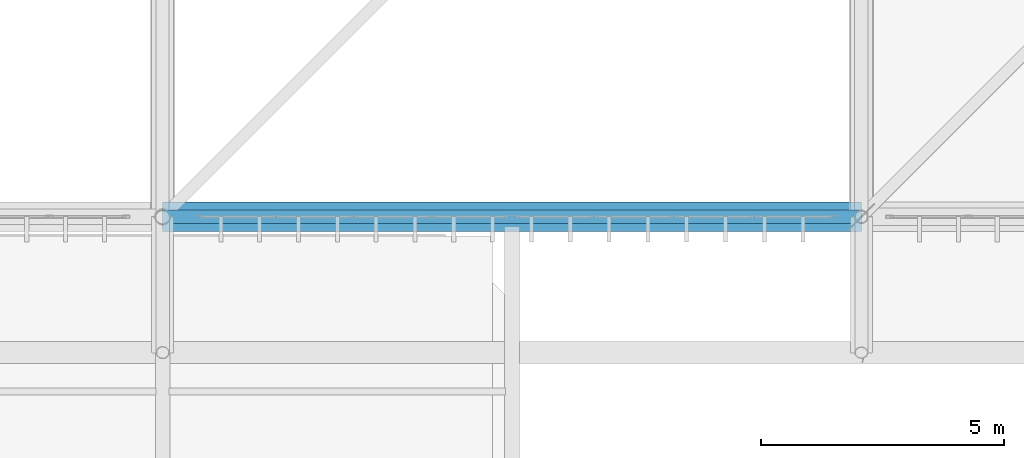
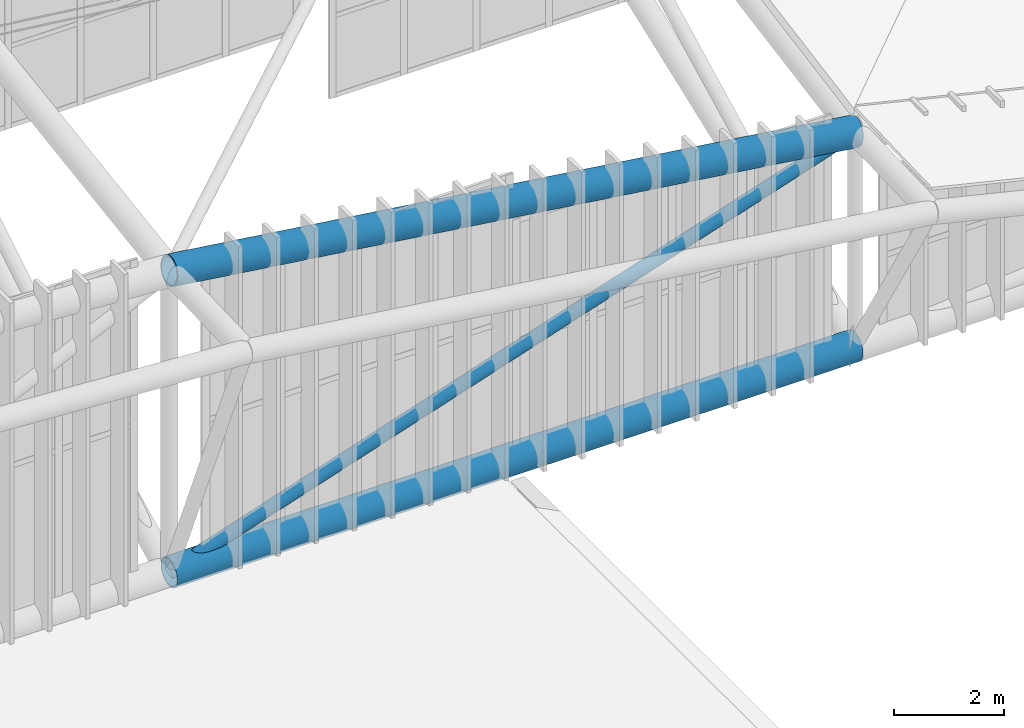
# One storey, part 86 of 397: 2 beams, 1 member.
"""IFC4 building model written with IfcOpenShell, lengths in metres."""

from ifc_helpers import new_model, si_unit, direction, frame, origin, origin_2d, place, context, subcontext, project, spatial, hollow_circle, extrude, material, material_profile, profile_set, type_object, element, save


model = new_model("IFC4")

# Units and contexts
model_context = context("Model", 3, precision=1e-05, world=origin(), true_north=direction((0.0, 1.0)))
body_context = subcontext(model_context, "Body", "Model", "MODEL_VIEW")
ifc_project = project(units=[si_unit("LENGTHUNIT", "METRE"), si_unit("AREAUNIT", "SQUARE_METRE"), si_unit("VOLUMEUNIT", "CUBIC_METRE"), si_unit("PLANEANGLEUNIT", "RADIAN"), si_unit("MASSUNIT", "GRAM", prefix="KILO")], contexts=[model_context])

# Site, building, storey
site_placement = place(None, origin())
site = spatial("IfcSite", under=ifc_project, at=site_placement, CompositionType="ELEMENT")
building_placement = place(site_placement, origin())
building = spatial("IfcBuilding", under=site, at=building_placement, Name="Qandorah Velis Arena", CompositionType="ELEMENT")
storey_placement = place(building_placement, frame((0.0, 0.0, 27.5)))
storey = spatial("IfcBuildingStorey", under=building, at=storey_placement, Name="RF", CompositionType="ELEMENT", Elevation=27.5)

# Beams
ifc_material_1 = material(Name="Steel S460", Category="steel")
ifc_material_profile_1 = material_profile(ifc_material_1, hollow_circle(Radius=0.304931640625, WallThickness=0.02490234375, at=origin_2d()), Name="CHS 610x25")
ifc_profile_set_1 = profile_set([ifc_material_profile_1], Name="Steel S460")
beam_type_1 = type_object("IfcBeamType", Name="STR-SFC-CHS610X25", PredefinedType="USERDEFINED", material=ifc_profile_set_1)
beam_1_placement = place(storey_placement, frame((86.39990234375, 14.39990234375, 0.10009765625), z_axis=(1.0, 0.0, 0.0), x_axis=(0.0, 1.0, 0.0)))
element("IfcBeam", 1, at=beam_1_placement, inside=storey, type_object=beam_type_1, Name="Space frame roof truss bottom chord X 5.0", ObjectType="ROOF TRUSS", PredefinedType="USERDEFINED", context=body_context, shape_type="SweptSolid", body=[
    extrude(hollow_circle(Radius=0.304931640625, WallThickness=0.02490234375, at=origin_2d()), origin(), (0.0, 0.0, 1.0), 14.400146484375),
])
ifc_material_profile_2 = material_profile(ifc_material_1, hollow_circle(Radius=0.304931640625, WallThickness=0.031982421875, at=origin_2d()), Name="CHS 610x32")
ifc_profile_set_2 = profile_set([ifc_material_profile_2], Name="Steel S460")
beam_type_2 = type_object("IfcBeamType", Name="STR-SFC-CHS610X32", PredefinedType="USERDEFINED", material=ifc_profile_set_2)
beam_2_placement = place(storey_placement, frame((86.39990234375, 14.39990234375, 6.79931640625), z_axis=(0.990978323576, 0.0, -0.134022245175), x_axis=(0.0, 1.0, 0.0)))
element("IfcBeam", 2, at=beam_2_placement, inside=storey, type_object=beam_type_2, Name="Space frame roof truss top chord X 5.0", ObjectType="ROOF TRUSS", PredefinedType="USERDEFINED", context=body_context, shape_type="SweptSolid", body=[
    extrude(hollow_circle(Radius=0.304931640625, WallThickness=0.031982421875, at=origin_2d()), origin(), (0.0, 0.0, 1.0), 14.53125),
])

# Member
ifc_material_2 = material(Name="Steel S355", Category="steel")
ifc_material_profile_3 = material_profile(ifc_material_2, hollow_circle(Radius=0.136474609375, WallThickness=0.010009765625, at=origin_2d()), Name="CHS 273x10")
ifc_profile_set_3 = profile_set([ifc_material_profile_3], Name="Steel S355")
member_type = type_object("IfcMemberType", Name="STR-SFD-CHS273X10", PredefinedType="STRUT", material=ifc_profile_set_3)
member_placement = place(storey_placement, frame((86.39990234375, 14.39990234375, 0.10009765625), z_axis=(0.949635308767, 0.0, 0.313357272681), x_axis=(0.0, 1.0, 0.0)))
element("IfcMember", 3, at=member_placement, inside=storey, type_object=member_type, Name="Space frame roof diagonal X 5.0", PredefinedType="STRUT", context=body_context, shape_type="SweptSolid", body=[
    extrude(hollow_circle(Radius=0.136474609375, WallThickness=0.010009765625, at=origin_2d()), origin(), (0.0, 0.0, 1.0), 15.163818359375),
])

save(model, "model.ifc")
